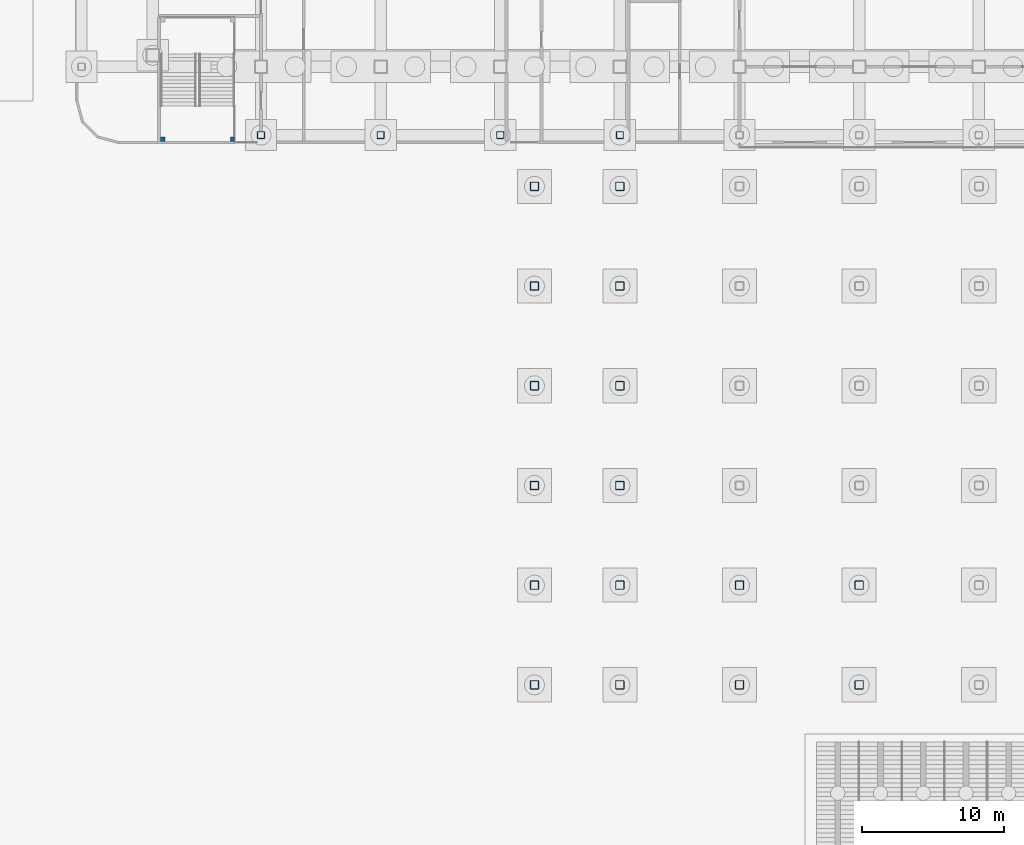
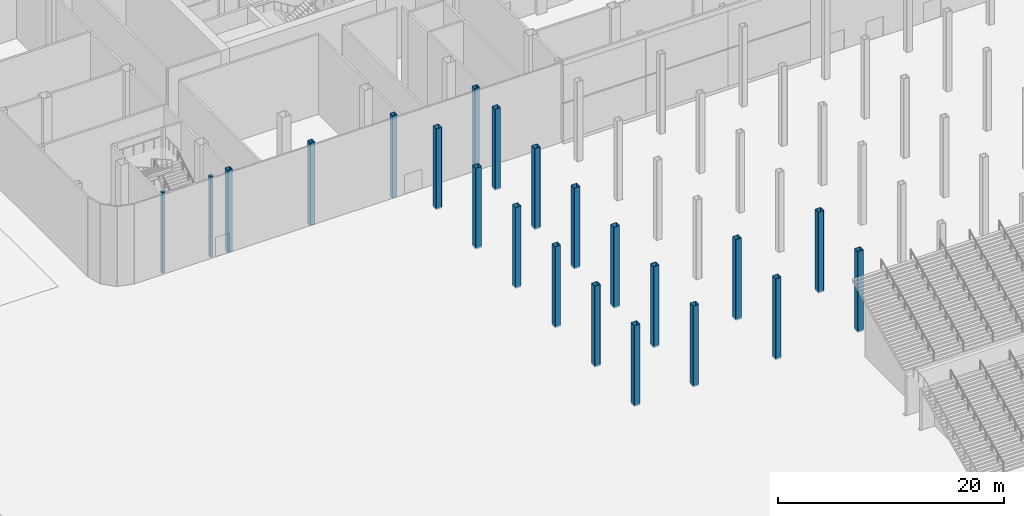
# One storey, part 8 of 113: 22 columns.
"""IFC4 building model written with IfcOpenShell, lengths in metres."""

from ifc_helpers import new_model, si_unit, direction, frame, origin, origin_2d, place, context, subcontext, project, spatial, rectangle, hollow_rectangle, extrude, material, material_profile, profile_set, type_object, element, save


model = new_model("IFC4")

# Units and contexts
model_context = context("Model", 3, precision=1e-05, world=origin(), true_north=direction((0.0, 1.0)))
body_context = subcontext(model_context, "Body", "Model", "MODEL_VIEW")
ifc_project = project(units=[si_unit("LENGTHUNIT", "METRE"), si_unit("AREAUNIT", "SQUARE_METRE"), si_unit("VOLUMEUNIT", "CUBIC_METRE"), si_unit("PLANEANGLEUNIT", "RADIAN"), si_unit("MASSUNIT", "GRAM", prefix="KILO")], contexts=[model_context])

# Site, building, storey
site_placement = place(None, origin())
site = spatial("IfcSite", under=ifc_project, at=site_placement, CompositionType="ELEMENT")
building_placement = place(site_placement, origin())
building = spatial("IfcBuilding", under=site, at=building_placement, Name="Hakoniwa Tower and Hamabe Station Hall", CompositionType="ELEMENT")
storey_placement = place(building_placement, origin())
storey = spatial("IfcBuildingStorey", under=building, at=storey_placement, Name="L01", CompositionType="ELEMENT", Elevation=0.0)

# Columns
ifc_material_1 = material(Name="Steel BCR295", Category="steel")
ifc_material_profile_1 = material_profile(ifc_material_1, hollow_rectangle(XDim=0.5, YDim=0.5, WallThickness=0.01904296875, InnerFilletRadius=0.028564453125, OuterFilletRadius=0.047607421875, at=origin_2d()), Name="BCR-500x500x19")
ifc_profile_set_1 = profile_set([ifc_material_profile_1], Name="Steel BCR295")
column_type_1 = type_object("IfcColumnType", Name="COLUMN BCR-500x500x19", PredefinedType="COLUMN", material=ifc_profile_set_1)
for number, where, z_axis, x_axis, name in (
    (1, (-42.0, -24.39990234375, -0.300048828125), (0.0, 0.0, 1.0), (1.0, 0.0, 0.0), "Column P-2-RS"),
    (2, (-33.60009765625, -24.39990234375, -0.300048828125), (0.0, 0.0, 1.0), (1.0, 0.0, 0.0), "Column P-3-RS"),
    (3, (-25.199951171875, -24.39990234375, -0.300048828125), (0.0, 0.0, 1.0), (1.0, 0.0, 0.0), "Column P-4-RS"),
    (4, (-16.800048828125, -24.39990234375, -0.300048828125), (0.0, 0.0, 1.0), (1.0, 0.0, 0.0), "Column P-5-RS"),
):
    element("IfcColumn", number, at=place(storey_placement, frame(where, z_axis=z_axis, x_axis=x_axis)), inside=storey, type_object=column_type_1, Name=name, PredefinedType="COLUMN", context=body_context, shape_type="SweptSolid", body=[
        extrude(hollow_rectangle(XDim=0.5, YDim=0.5, WallThickness=0.01904296875, InnerFilletRadius=0.028564453125, OuterFilletRadius=0.047607421875, at=origin_2d()), origin(), (0.0, 0.0, 1.0), 8.900146484375),
    ])
ifc_material_2 = material(Name="Steel BCP325", Category="steel")
ifc_material_profile_2 = material_profile(ifc_material_2, hollow_rectangle(XDim=0.60009765625, YDim=0.60009765625, WallThickness=0.02490234375, OuterFilletRadius=0.0625, at=origin_2d()), Name="DECK COLUMN BCP-600x600x25")
ifc_profile_set_2 = profile_set([ifc_material_profile_2], Name="Steel BCP325")
column_type_2 = type_object("IfcColumnType", Name="DECK COLUMN BCP-600x600x25", PredefinedType="COLUMN", material=ifc_profile_set_2)
for number, where, z_axis, x_axis, name in (
    (5, (-22.800048828125, -63.0, -0.14990234375), (0.0, 0.0, 1.0), (1.0, 0.0, 0.0), "Deck column 01"),
    (6, (-22.800048828125, -56.0, -0.14990234375), (0.0, 0.0, 1.0), (1.0, 0.0, 0.0), "Deck column 02"),
    (7, (-22.800048828125, -49.0, -0.14990234375), (0.0, 0.0, 1.0), (1.0, 0.0, 0.0), "Deck column 03"),
    (8, (-22.800048828125, -42.0, -0.14990234375), (0.0, 0.0, 1.0), (1.0, 0.0, 0.0), "Deck column 04"),
    (9, (-22.800048828125, -35.0, -0.14990234375), (0.0, 0.0, 1.0), (1.0, 0.0, 0.0), "Deck column 05"),
    (10, (-22.800048828125, -28.0, -0.14990234375), (0.0, 0.0, 1.0), (1.0, 0.0, 0.0), "Deck column 06"),
    (11, (-16.800048828125, -63.0, -0.14990234375), (0.0, 0.0, 1.0), (1.0, 0.0, 0.0), "Deck column 07"),
    (12, (-16.800048828125, -56.0, -0.14990234375), (0.0, 0.0, 1.0), (1.0, 0.0, 0.0), "Deck column 08"),
    (13, (-16.800048828125, -49.0, -0.14990234375), (0.0, 0.0, 1.0), (1.0, 0.0, 0.0), "Deck column 09"),
    (14, (-16.800048828125, -42.0, -0.14990234375), (0.0, 0.0, 1.0), (1.0, 0.0, 0.0), "Deck column 10"),
    (15, (-16.800048828125, -35.0, -0.14990234375), (0.0, 0.0, 1.0), (1.0, 0.0, 0.0), "Deck column 11"),
    (16, (-16.800048828125, -28.0, -0.14990234375), (0.0, 0.0, 1.0), (1.0, 0.0, 0.0), "Deck column 12"),
    (17, (-8.39990234375, -63.0, -0.14990234375), (0.0, 0.0, 1.0), (1.0, 0.0, 0.0), "Deck column 13"),
    (18, (-8.39990234375, -56.0, -0.14990234375), (0.0, 0.0, 1.0), (1.0, 0.0, 0.0), "Deck column 14"),
    (19, (0.0, -63.0, -0.14990234375), (0.0, 0.0, 1.0), (1.0, 0.0, 0.0), "Deck column 19"),
    (20, (0.0, -56.0, -0.14990234375), (0.0, 0.0, 1.0), (1.0, 0.0, 0.0), "Deck column 20"),
):
    element("IfcColumn", number, at=place(storey_placement, frame(where, z_axis=z_axis, x_axis=x_axis)), inside=storey, type_object=column_type_2, Name=name, PredefinedType="COLUMN", context=body_context, shape_type="SweptSolid", body=[
        extrude(hollow_rectangle(XDim=0.60009765625, YDim=0.60009765625, WallThickness=0.02490234375, OuterFilletRadius=0.0625, at=origin_2d()), origin(), (0.0, 0.0, 1.0), 8.739990234375),
    ])
ifc_material_3 = material(Name="Concrete C40", Category="concrete")
ifc_material_profile_3 = material_profile(ifc_material_3, rectangle(XDim=0.300048828125, YDim=0.300048828125, at=origin_2d()), Name="STAIR LANDING POST 300X300")
ifc_profile_set_3 = profile_set([ifc_material_profile_3], Name="Concrete C40")
column_type_3 = type_object("IfcColumnType", Name="STAIR LANDING POST 300X300", PredefinedType="COLUMN", material=ifc_profile_set_3)
for number, where, z_axis, x_axis, name in (
    (21, (-44.0, -24.699951171875, 0.0), (0.0, 0.0, 1.0), (1.0, 0.0, 0.0), "Landing post PS4 1a"),
    (22, (-48.89990234375, -24.699951171875, 0.0), (0.0, 0.0, 1.0), (1.0, 0.0, 0.0), "Landing post PS4 1b"),
):
    element("IfcColumn", number, at=place(storey_placement, frame(where, z_axis=z_axis, x_axis=x_axis)), inside=storey, type_object=column_type_3, Name=name, PredefinedType="COLUMN", context=body_context, shape_type="SweptSolid", body=[
        extrude(rectangle(XDim=0.300048828125, YDim=0.300048828125, at=origin_2d()), origin(), (0.0, 0.0, 1.0), 8.699951171875),
    ])

save(model, "model.ifc")
